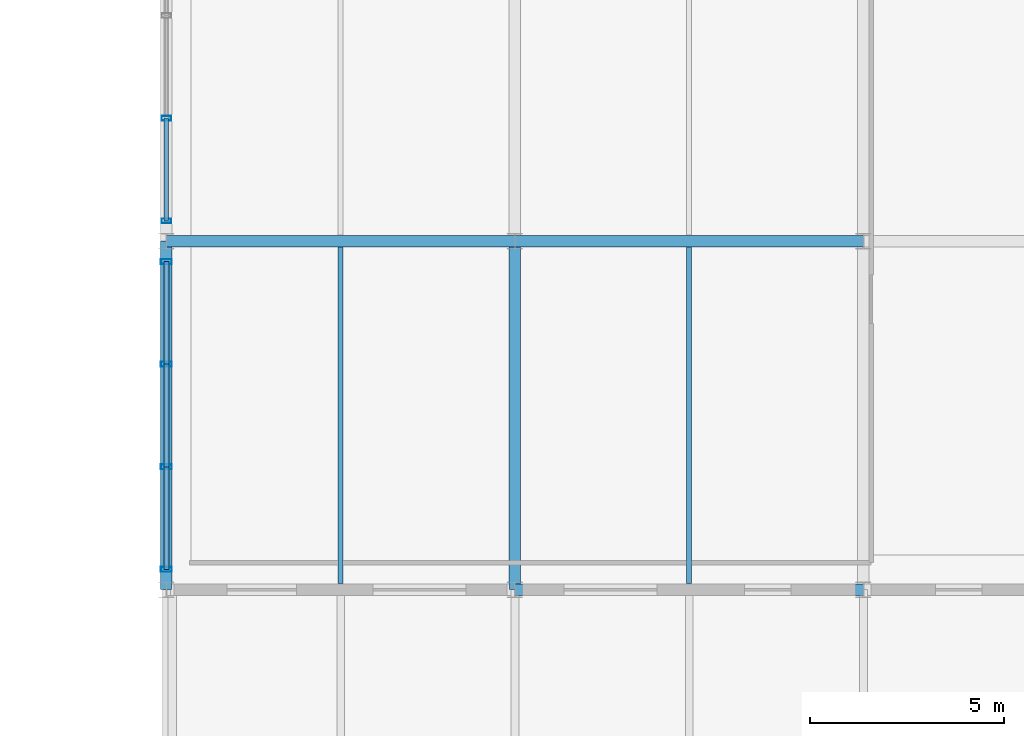
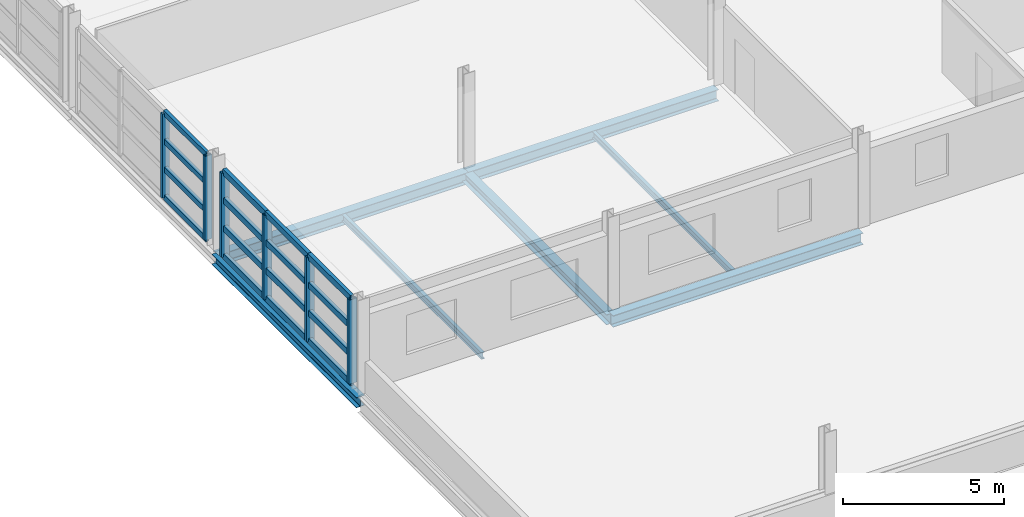
# One storey, part 67 of 116: 22 members, 7 beams, 2 elements without a shape of their own.
"""IFC4 building model written with IfcOpenShell, lengths in metres."""

from ifc_helpers import new_model, si_unit, direction, frame, origin, origin_2d, place, context, subcontext, project, spatial, hollow_rectangle, i_section, extrude, material, material_profile, profile_set, type_object, element, aggregate, save


model = new_model("IFC4")

# Units and contexts
model_context = context("Model", 3, precision=1e-05, world=origin(), true_north=direction((0.0, 1.0)))
body_context = subcontext(model_context, "Body", "Model", "MODEL_VIEW")
ifc_project = project(units=[si_unit("LENGTHUNIT", "METRE"), si_unit("AREAUNIT", "SQUARE_METRE"), si_unit("VOLUMEUNIT", "CUBIC_METRE"), si_unit("PLANEANGLEUNIT", "RADIAN"), si_unit("MASSUNIT", "GRAM", prefix="KILO")], contexts=[model_context])

# Site, building, storey
site_placement = place(None, origin())
site = spatial("IfcSite", under=ifc_project, at=site_placement, CompositionType="ELEMENT")
building_placement = place(site_placement, origin())
building = spatial("IfcBuilding", under=site, at=building_placement, Name="Chuanluo Vaults Station", CompositionType="ELEMENT")
storey_placement = place(building_placement, frame((0.0, 0.0, 10.800048828125)))
storey = spatial("IfcBuildingStorey", under=building, at=storey_placement, Name="L02", CompositionType="ELEMENT", Elevation=10.800048828125)

# Beams
ifc_material_1 = material(Name="Steel Q355C", Category="steel")
ifc_material_profile_1 = material_profile(ifc_material_1, i_section(OverallWidth=0.300048828125, OverallDepth=0.389892578125, WebThickness=0.010009765625, FlangeThickness=0.01611328125, FilletRadius=0.02001953125, at=origin_2d()))
ifc_profile_set_1 = profile_set([ifc_material_profile_1], Name="Steel Q355C")
beam_type_1 = type_object("IfcBeamType", Name="BM-GRD-400", PredefinedType="BEAM", material=ifc_profile_set_1)
for number, where, z_axis, x_axis, name in (
    (1, (145.0, 67.5, -0.4150390625), (0.0, 1.0, 0.0), (-1.0, 0.0, 0.0), "Floor girder BM:GY:L02:0646"),
    (2, (154.0, 67.5, -0.4150390625), (0.0, 1.0, 0.0), (-1.0, 0.0, 0.0), "Floor girder BM:GY:L02:0658"),
):
    element("IfcBeam", number, at=place(storey_placement, frame(where, z_axis=z_axis, x_axis=x_axis)), inside=storey, type_object=beam_type_1, Name=name, PredefinedType="BEAM", context=body_context, shape_type="SweptSolid", body=[
        extrude(i_section(OverallWidth=0.300048828125, OverallDepth=0.389892578125, WebThickness=0.010009765625, FlangeThickness=0.01611328125, FilletRadius=0.02001953125, at=origin_2d()), origin(), (0.0, 0.0, 1.0), 9.0),
    ])
ifc_material_2 = material(Name="Steel Q355C", Category="steel")
ifc_material_profile_2 = material_profile(ifc_material_2, i_section(OverallWidth=0.300048828125, OverallDepth=0.43994140625, WebThickness=0.010986328125, FlangeThickness=0.01806640625, FilletRadius=0.02001953125, at=origin_2d()))
ifc_profile_set_2 = profile_set([ifc_material_profile_2], Name="Steel Q355C")
beam_type_2 = type_object("IfcBeamType", Name="BM-GRD-450", PredefinedType="USERDEFINED", material=ifc_profile_set_2)
for number, where, z_axis, x_axis, name in (
    (3, (154.0, 67.5, -0.43994140625), (1.0, 0.0, 0.0), (0.0, 1.0, 0.0), "Floor girder BM:GX:L02:0579"),
    (4, (145.0, 76.5, -0.43994140625), (1.0, 0.0, 0.0), (0.0, 1.0, 0.0), "Floor girder BM:GX:L02:0583"),
    (5, (154.0, 76.5, -0.43994140625), (1.0, 0.0, 0.0), (0.0, 1.0, 0.0), "Floor girder BM:GX:L02:0584"),
):
    element("IfcBeam", number, at=place(storey_placement, frame(where, z_axis=z_axis, x_axis=x_axis)), inside=storey, type_object=beam_type_2, Name=name, ObjectType="GIRDER", PredefinedType="USERDEFINED", context=body_context, shape_type="SweptSolid", body=[
        extrude(i_section(OverallWidth=0.300048828125, OverallDepth=0.43994140625, WebThickness=0.010986328125, FlangeThickness=0.01806640625, FilletRadius=0.02001953125, at=origin_2d()), origin(), (0.0, 0.0, 1.0), 9.0),
    ])
ifc_material_3 = material(Name="Steel Q355C", Category="steel")
ifc_material_profile_3 = material_profile(ifc_material_3, i_section(OverallWidth=0.125, OverallDepth=0.25, WebThickness=0.006103515625, FlangeThickness=0.009033203125, FilletRadius=0.011962890625, at=origin_2d()))
ifc_profile_set_3 = profile_set([ifc_material_profile_3], Name="Steel Q355C")
beam_type_3 = type_object("IfcBeamType", Name="BM-SEC-250", PredefinedType="JOIST", material=ifc_profile_set_3)
for number, where, z_axis, x_axis, name in (
    (6, (149.5, 67.655029296875, -0.344970703125), (0.0, 1.0, 0.0), (-1.0, 0.0, 0.0), "Composite secondary joist 0203"),
    (7, (158.5, 67.655029296875, -0.344970703125), (0.0, 1.0, 0.0), (-1.0, 0.0, 0.0), "Composite secondary joist 0212"),
):
    element("IfcBeam", number, at=place(storey_placement, frame(where, z_axis=z_axis, x_axis=x_axis)), inside=storey, type_object=beam_type_3, Name=name, PredefinedType="JOIST", context=body_context, shape_type="SweptSolid", body=[
        extrude(i_section(OverallWidth=0.125, OverallDepth=0.25, WebThickness=0.006103515625, FlangeThickness=0.009033203125, FilletRadius=0.011962890625, at=origin_2d()), origin(), (0.0, 0.0, 1.0), 8.68994140625),
    ])

# Curtain wall, members
ifc_material_4 = material(Name="Anodised aluminium 6063-T6", Category="aluminium")
curtain_wall_type_1 = type_object("IfcCurtainWallType", Name="CW-SYS-03", PredefinedType="NOTDEFINED", material=ifc_material_4)
curtain_wall_1_placement = place(storey_placement, origin())
curtain_wall_1 = element("IfcCurtainWall", 8, at=curtain_wall_1_placement, inside=storey, type_object=curtain_wall_type_1, Name="Operations L02 facade CW", PredefinedType="NOTDEFINED")
ifc_material_5 = material(Name="Anodised aluminium 6063-T6", Category="aluminium")
ifc_material_profile_4 = material_profile(ifc_material_5, hollow_rectangle(XDim=0.1201171875, YDim=0.25, WallThickness=0.006103515625, at=origin_2d()))
ifc_profile_set_4 = profile_set([ifc_material_profile_4], Name="Anodised aluminium 6063-T6")
member_type_1 = type_object("IfcMemberType", Name="CWM-160", PredefinedType="MULLION", material=ifc_profile_set_4)
member_1_placement = place(storey_placement, frame((145.0, 77.02490234375, 0.0), z_axis=(0.0, 0.0, 1.0), x_axis=(0.0, 1.0, 0.0)))
member_1 = element("IfcMember", 9, at=member_1_placement, type_object=member_type_1, Name="Operations L02 facade CW mullion 1", PredefinedType="MULLION", context=body_context, shape_type="SweptSolid", body=[
    extrude(hollow_rectangle(XDim=0.1201171875, YDim=0.25, WallThickness=0.006103515625, at=origin_2d()), origin(), (0.0, 0.0, 1.0), 3.199951171875),
])
member_2_placement = place(storey_placement, frame((145.0, 79.675048828125, 0.0), z_axis=(0.0, 0.0, 1.0), x_axis=(0.0, 1.0, 0.0)))
member_2 = element("IfcMember", 10, at=member_2_placement, type_object=member_type_1, Name="Operations L02 facade CW mullion 2", PredefinedType="MULLION", context=body_context, shape_type="SweptSolid", body=[
    extrude(hollow_rectangle(XDim=0.1201171875, YDim=0.25, WallThickness=0.006103515625, at=origin_2d()), origin(), (0.0, 0.0, 1.0), 3.199951171875),
])

ifc_material_6 = material(Name="Anodised aluminium 6063-T6", Category="aluminium")
curtain_wall_type_2 = type_object("IfcCurtainWallType", Name="CW-SYS-02", PredefinedType="NOTDEFINED", material=ifc_material_6)
curtain_wall_2_placement = place(storey_placement, origin())
curtain_wall_2 = element("IfcCurtainWall", 11, at=curtain_wall_2_placement, inside=storey, type_object=curtain_wall_type_2, Name="Operations L02 facade CW", PredefinedType="NOTDEFINED")
ifc_material_7 = material(Name="Anodised aluminium 6063-T6", Category="aluminium")
ifc_material_profile_5 = material_profile(ifc_material_7, hollow_rectangle(XDim=0.1298828125, YDim=0.280029296875, WallThickness=0.007080078125, at=origin_2d()))
ifc_profile_set_5 = profile_set([ifc_material_profile_5], Name="Anodised aluminium 6063-T6")
member_type_2 = type_object("IfcMemberType", Name="CWM-180", PredefinedType="MULLION", material=ifc_profile_set_5)
member_3_placement = place(storey_placement, frame((145.0, 68.02490234375, 0.0), z_axis=(0.0, 0.0, 1.0), x_axis=(0.0, 1.0, 0.0)))
member_3 = element("IfcMember", 12, at=member_3_placement, type_object=member_type_2, Name="Operations L02 facade CW mullion 1", PredefinedType="MULLION", context=body_context, shape_type="SweptSolid", body=[
    extrude(hollow_rectangle(XDim=0.1298828125, YDim=0.280029296875, WallThickness=0.007080078125, at=origin_2d()), origin(), (0.0, 0.0, 1.0), 3.199951171875),
])
member_4_placement = place(storey_placement, frame((145.0, 70.675048828125, 0.0), z_axis=(0.0, 0.0, 1.0), x_axis=(0.0, 1.0, 0.0)))
member_4 = element("IfcMember", 13, at=member_4_placement, type_object=member_type_2, Name="Operations L02 facade CW mullion 2", PredefinedType="MULLION", context=body_context, shape_type="SweptSolid", body=[
    extrude(hollow_rectangle(XDim=0.1298828125, YDim=0.280029296875, WallThickness=0.007080078125, at=origin_2d()), origin(), (0.0, 0.0, 1.0), 3.199951171875),
])
member_5_placement = place(storey_placement, frame((145.0, 73.324951171875, 0.0), z_axis=(0.0, 0.0, 1.0), x_axis=(0.0, 1.0, 0.0)))
member_5 = element("IfcMember", 14, at=member_5_placement, type_object=member_type_2, Name="Operations L02 facade CW mullion 3", PredefinedType="MULLION", context=body_context, shape_type="SweptSolid", body=[
    extrude(hollow_rectangle(XDim=0.1298828125, YDim=0.280029296875, WallThickness=0.007080078125, at=origin_2d()), origin(), (0.0, 0.0, 1.0), 3.199951171875),
])
member_6_placement = place(storey_placement, frame((145.0, 75.97509765625, 0.0), z_axis=(0.0, 0.0, 1.0), x_axis=(0.0, 1.0, 0.0)))
member_6 = element("IfcMember", 15, at=member_6_placement, type_object=member_type_2, Name="Operations L02 facade CW mullion 4", PredefinedType="MULLION", context=body_context, shape_type="SweptSolid", body=[
    extrude(hollow_rectangle(XDim=0.1298828125, YDim=0.280029296875, WallThickness=0.007080078125, at=origin_2d()), origin(), (0.0, 0.0, 1.0), 3.199951171875),
])

# Member
ifc_material_8 = material(Name="Anodised aluminium 6063-T6", Category="aluminium")
ifc_material_profile_6 = material_profile(ifc_material_8, hollow_rectangle(XDim=0.1201171875, YDim=0.205078125, WallThickness=0.006103515625, at=origin_2d()))
ifc_profile_set_6 = profile_set([ifc_material_profile_6], Name="Anodised aluminium 6063-T6")
member_type_3 = type_object("IfcMemberType", Name="CWT-130", PredefinedType="USERDEFINED", material=ifc_profile_set_6)
member_7_placement = place(storey_placement, frame((145.0, 77.02490234375, 0.0), z_axis=(0.0, 1.0, 0.0), x_axis=(-1.0, 0.0, 0.0)))
member_7 = element("IfcMember", 16, at=member_7_placement, type_object=member_type_3, Name="Operations L02 facade CW transom 1.1", ObjectType="TRANSOM", PredefinedType="USERDEFINED", context=body_context, shape_type="SweptSolid", body=[
    extrude(hollow_rectangle(XDim=0.1201171875, YDim=0.205078125, WallThickness=0.006103515625, at=origin_2d()), origin(), (0.0, 0.0, 1.0), 2.650146484375),
])

member_8_placement = place(storey_placement, frame((145.0, 77.02490234375, 1.066650390625), z_axis=(0.0, 1.0, 0.0), x_axis=(-1.0, 0.0, 0.0)))
member_8 = element("IfcMember", 17, at=member_8_placement, type_object=member_type_3, Name="Operations L02 facade CW transom 1.2", ObjectType="TRANSOM", PredefinedType="USERDEFINED", context=body_context, shape_type="SweptSolid", body=[
    extrude(hollow_rectangle(XDim=0.1201171875, YDim=0.205078125, WallThickness=0.006103515625, at=origin_2d()), origin(), (0.0, 0.0, 1.0), 2.650146484375),
])

member_9_placement = place(storey_placement, frame((145.0, 77.02490234375, 2.13330078125), z_axis=(0.0, 1.0, 0.0), x_axis=(-1.0, 0.0, 0.0)))
member_9 = element("IfcMember", 18, at=member_9_placement, type_object=member_type_3, Name="Operations L02 facade CW transom 1.3", ObjectType="TRANSOM", PredefinedType="USERDEFINED", context=body_context, shape_type="SweptSolid", body=[
    extrude(hollow_rectangle(XDim=0.1201171875, YDim=0.205078125, WallThickness=0.006103515625, at=origin_2d()), origin(), (0.0, 0.0, 1.0), 2.650146484375),
])

member_10_placement = place(storey_placement, frame((145.0, 77.02490234375, 3.199951171875), z_axis=(0.0, 1.0, 0.0), x_axis=(-1.0, 0.0, 0.0)))
member_10 = element("IfcMember", 19, at=member_10_placement, type_object=member_type_3, Name="Operations L02 facade CW transom 1.4", ObjectType="TRANSOM", PredefinedType="USERDEFINED", context=body_context, shape_type="SweptSolid", body=[
    extrude(hollow_rectangle(XDim=0.1201171875, YDim=0.205078125, WallThickness=0.006103515625, at=origin_2d()), origin(), (0.0, 0.0, 1.0), 2.650146484375),
])

aggregate(curtain_wall_1, [member_1, member_2, member_7, member_8, member_9, member_10])

ifc_material_9 = material(Name="Anodised aluminium 6063-T6", Category="aluminium")
ifc_material_profile_7 = material_profile(ifc_material_9, hollow_rectangle(XDim=0.1298828125, YDim=0.22998046875, WallThickness=0.006103515625, at=origin_2d()))
ifc_profile_set_7 = profile_set([ifc_material_profile_7], Name="Anodised aluminium 6063-T6")
member_type_4 = type_object("IfcMemberType", Name="CWT-150", PredefinedType="USERDEFINED", material=ifc_profile_set_7)
member_11_placement = place(storey_placement, frame((145.0, 68.02490234375, 0.0), z_axis=(0.0, 1.0, 0.0), x_axis=(-1.0, 0.0, 0.0)))
member_11 = element("IfcMember", 20, at=member_11_placement, type_object=member_type_4, Name="Operations L02 facade CW transom 1.1", ObjectType="TRANSOM", PredefinedType="USERDEFINED", context=body_context, shape_type="SweptSolid", body=[
    extrude(hollow_rectangle(XDim=0.1298828125, YDim=0.22998046875, WallThickness=0.006103515625, at=origin_2d()), origin(), (0.0, 0.0, 1.0), 2.650146484375),
])

member_12_placement = place(storey_placement, frame((145.0, 68.02490234375, 1.066650390625), z_axis=(0.0, 1.0, 0.0), x_axis=(-1.0, 0.0, 0.0)))
member_12 = element("IfcMember", 21, at=member_12_placement, type_object=member_type_4, Name="Operations L02 facade CW transom 1.2", ObjectType="TRANSOM", PredefinedType="USERDEFINED", context=body_context, shape_type="SweptSolid", body=[
    extrude(hollow_rectangle(XDim=0.1298828125, YDim=0.22998046875, WallThickness=0.006103515625, at=origin_2d()), origin(), (0.0, 0.0, 1.0), 2.650146484375),
])

member_13_placement = place(storey_placement, frame((145.0, 68.02490234375, 2.13330078125), z_axis=(0.0, 1.0, 0.0), x_axis=(-1.0, 0.0, 0.0)))
member_13 = element("IfcMember", 22, at=member_13_placement, type_object=member_type_4, Name="Operations L02 facade CW transom 1.3", ObjectType="TRANSOM", PredefinedType="USERDEFINED", context=body_context, shape_type="SweptSolid", body=[
    extrude(hollow_rectangle(XDim=0.1298828125, YDim=0.22998046875, WallThickness=0.006103515625, at=origin_2d()), origin(), (0.0, 0.0, 1.0), 2.650146484375),
])

member_14_placement = place(storey_placement, frame((145.0, 68.02490234375, 3.199951171875), z_axis=(0.0, 1.0, 0.0), x_axis=(-1.0, 0.0, 0.0)))
member_14 = element("IfcMember", 23, at=member_14_placement, type_object=member_type_4, Name="Operations L02 facade CW transom 1.4", ObjectType="TRANSOM", PredefinedType="USERDEFINED", context=body_context, shape_type="SweptSolid", body=[
    extrude(hollow_rectangle(XDim=0.1298828125, YDim=0.22998046875, WallThickness=0.006103515625, at=origin_2d()), origin(), (0.0, 0.0, 1.0), 2.650146484375),
])

member_15_placement = place(storey_placement, frame((145.0, 70.675048828125, 0.0), z_axis=(0.0, 1.0, 0.0), x_axis=(-1.0, 0.0, 0.0)))
member_15 = element("IfcMember", 24, at=member_15_placement, type_object=member_type_4, Name="Operations L02 facade CW transom 2.1", ObjectType="TRANSOM", PredefinedType="USERDEFINED", context=body_context, shape_type="SweptSolid", body=[
    extrude(hollow_rectangle(XDim=0.1298828125, YDim=0.22998046875, WallThickness=0.006103515625, at=origin_2d()), origin(), (0.0, 0.0, 1.0), 2.64990234375),
])

member_16_placement = place(storey_placement, frame((145.0, 70.675048828125, 1.066650390625), z_axis=(0.0, 1.0, 0.0), x_axis=(-1.0, 0.0, 0.0)))
member_16 = element("IfcMember", 25, at=member_16_placement, type_object=member_type_4, Name="Operations L02 facade CW transom 2.2", ObjectType="TRANSOM", PredefinedType="USERDEFINED", context=body_context, shape_type="SweptSolid", body=[
    extrude(hollow_rectangle(XDim=0.1298828125, YDim=0.22998046875, WallThickness=0.006103515625, at=origin_2d()), origin(), (0.0, 0.0, 1.0), 2.64990234375),
])

member_17_placement = place(storey_placement, frame((145.0, 70.675048828125, 2.13330078125), z_axis=(0.0, 1.0, 0.0), x_axis=(-1.0, 0.0, 0.0)))
member_17 = element("IfcMember", 26, at=member_17_placement, type_object=member_type_4, Name="Operations L02 facade CW transom 2.3", ObjectType="TRANSOM", PredefinedType="USERDEFINED", context=body_context, shape_type="SweptSolid", body=[
    extrude(hollow_rectangle(XDim=0.1298828125, YDim=0.22998046875, WallThickness=0.006103515625, at=origin_2d()), origin(), (0.0, 0.0, 1.0), 2.64990234375),
])

member_18_placement = place(storey_placement, frame((145.0, 70.675048828125, 3.199951171875), z_axis=(0.0, 1.0, 0.0), x_axis=(-1.0, 0.0, 0.0)))
member_18 = element("IfcMember", 27, at=member_18_placement, type_object=member_type_4, Name="Operations L02 facade CW transom 2.4", ObjectType="TRANSOM", PredefinedType="USERDEFINED", context=body_context, shape_type="SweptSolid", body=[
    extrude(hollow_rectangle(XDim=0.1298828125, YDim=0.22998046875, WallThickness=0.006103515625, at=origin_2d()), origin(), (0.0, 0.0, 1.0), 2.64990234375),
])

member_19_placement = place(storey_placement, frame((145.0, 73.324951171875, 0.0), z_axis=(0.0, 1.0, 0.0), x_axis=(-1.0, 0.0, 0.0)))
member_19 = element("IfcMember", 28, at=member_19_placement, type_object=member_type_4, Name="Operations L02 facade CW transom 3.1", ObjectType="TRANSOM", PredefinedType="USERDEFINED", context=body_context, shape_type="SweptSolid", body=[
    extrude(hollow_rectangle(XDim=0.1298828125, YDim=0.22998046875, WallThickness=0.006103515625, at=origin_2d()), origin(), (0.0, 0.0, 1.0), 2.650146484375),
])

member_20_placement = place(storey_placement, frame((145.0, 73.324951171875, 1.066650390625), z_axis=(0.0, 1.0, 0.0), x_axis=(-1.0, 0.0, 0.0)))
member_20 = element("IfcMember", 29, at=member_20_placement, type_object=member_type_4, Name="Operations L02 facade CW transom 3.2", ObjectType="TRANSOM", PredefinedType="USERDEFINED", context=body_context, shape_type="SweptSolid", body=[
    extrude(hollow_rectangle(XDim=0.1298828125, YDim=0.22998046875, WallThickness=0.006103515625, at=origin_2d()), origin(), (0.0, 0.0, 1.0), 2.650146484375),
])

member_21_placement = place(storey_placement, frame((145.0, 73.324951171875, 2.13330078125), z_axis=(0.0, 1.0, 0.0), x_axis=(-1.0, 0.0, 0.0)))
member_21 = element("IfcMember", 30, at=member_21_placement, type_object=member_type_4, Name="Operations L02 facade CW transom 3.3", ObjectType="TRANSOM", PredefinedType="USERDEFINED", context=body_context, shape_type="SweptSolid", body=[
    extrude(hollow_rectangle(XDim=0.1298828125, YDim=0.22998046875, WallThickness=0.006103515625, at=origin_2d()), origin(), (0.0, 0.0, 1.0), 2.650146484375),
])

member_22_placement = place(storey_placement, frame((145.0, 73.324951171875, 3.199951171875), z_axis=(0.0, 1.0, 0.0), x_axis=(-1.0, 0.0, 0.0)))
member_22 = element("IfcMember", 31, at=member_22_placement, type_object=member_type_4, Name="Operations L02 facade CW transom 3.4", ObjectType="TRANSOM", PredefinedType="USERDEFINED", context=body_context, shape_type="SweptSolid", body=[
    extrude(hollow_rectangle(XDim=0.1298828125, YDim=0.22998046875, WallThickness=0.006103515625, at=origin_2d()), origin(), (0.0, 0.0, 1.0), 2.650146484375),
])

aggregate(curtain_wall_2, [member_3, member_4, member_5, member_6, member_11, member_12, member_13, member_14, member_15, member_16, member_17, member_18, member_19, member_20, member_21, member_22])

save(model, "model.ifc")
